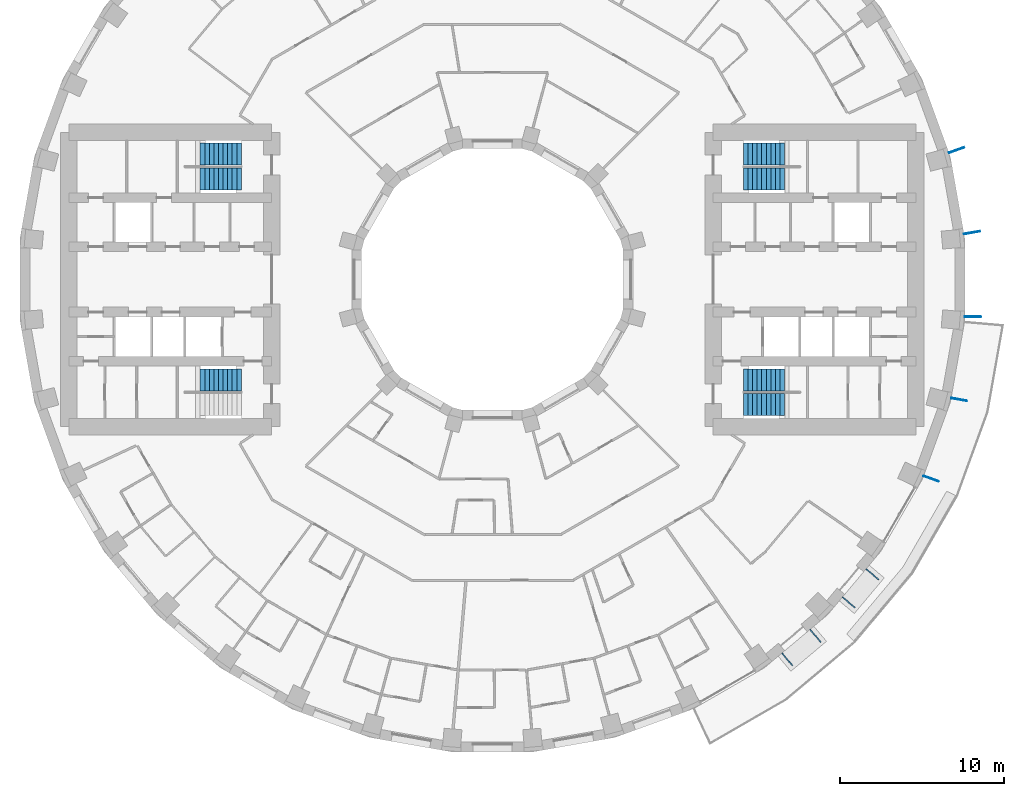
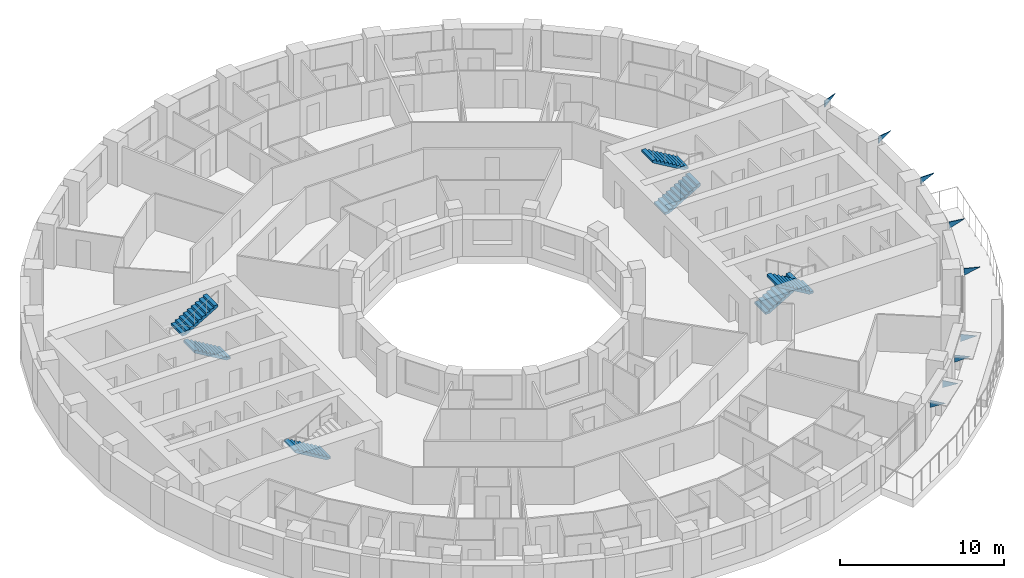
# One storey, part 14 of 15: 9 discrete accessories, 7 stair flights, 4 elements without a shape of their own.
"""IFC4 building model written with IfcOpenShell, lengths in metres."""

from ifc_helpers import new_model, si_unit, direction, frame, origin, place, context, subcontext, project, spatial, polyline, outline, extrude, material, layer, layer_set, type_object, element, aggregate, save


model = new_model("IFC4")

# Units and contexts
model_context = context("Model", 3, precision=1e-05, world=origin(), true_north=direction((0.0, 1.0)))
body_context = subcontext(model_context, "Body", "Model", "MODEL_VIEW")
ifc_project = project(units=[si_unit("LENGTHUNIT", "METRE"), si_unit("AREAUNIT", "SQUARE_METRE"), si_unit("VOLUMEUNIT", "CUBIC_METRE"), si_unit("PLANEANGLEUNIT", "RADIAN"), si_unit("MASSUNIT", "GRAM", prefix="KILO")], contexts=[model_context])

# Site, building, storey
site_placement = place(None, origin())
site = spatial("IfcSite", under=ifc_project, at=site_placement, CompositionType="ELEMENT")
building_placement = place(site_placement, origin())
building = spatial("IfcBuilding", under=site, at=building_placement, Name="Saqina Gate Tower", CompositionType="ELEMENT")
storey_placement = place(building_placement, frame((0.0, 0.0, 42.800048828125)))
storey = spatial("IfcBuildingStorey", under=building, at=storey_placement, Name="L11", CompositionType="ELEMENT", Elevation=42.800048828125)

# Stair, stair flights
ifc_material_1 = material(Name="Concrete C40/50", Category="concrete")
stair_type = type_object("IfcStairType", Name="EXIT STAIR", PredefinedType="HALF_TURN_STAIR", material=ifc_material_1)
stair_1_placement = place(storey_placement, origin())
stair_1 = element("IfcStair", 1, at=stair_1_placement, inside=storey, type_object=stair_type, Name="EXIT STAIR 1", PredefinedType="HALF_TURN_STAIR")
ifc_material_2 = material(Name="Concrete C40/50", Category="concrete")
stair_flight_type = type_object("IfcStairFlightType", Name="EXIT STAIR FLIGHT", PredefinedType="STRAIGHT", material=ifc_material_2)
stair_flight_1_placement = place(storey_placement, frame((15.35009765625, 6.1416015625, 0.0), z_axis=(0.0, 0.0, 1.0), x_axis=(1.0, 0.0, 0.0)))
stair_flight_1 = element("IfcStairFlight", 2, at=stair_flight_1_placement, type_object=stair_flight_type, Name="EXIT STAIR 1 FLIGHT 1", NumberOfRisers=10, NumberOfTreads=9, PredefinedType="STRAIGHT", RiserHeight=0.165, TreadLength=0.28, context=body_context, shape_type="SweptSolid", body=[
    extrude(outline(polyline([(0.0, 0.0), (0.0, 0.1650390625), (0.280029296875, 0.1650390625), (0.280029296875, 0.330078125), (0.56005859375, 0.330078125), (0.56005859375, 0.4951171875), (0.840087890625, 0.4951171875), (0.840087890625, 0.659912109375), (1.1201171875, 0.659912109375), (1.1201171875, 0.824951171875), (1.39990234375, 0.824951171875), (1.39990234375, 0.989990234375), (1.679931640625, 0.989990234375), (1.679931640625, 1.155029296875), (1.9599609375, 1.155029296875), (1.9599609375, 1.320068359375), (2.239990234375, 1.320068359375), (2.239990234375, 1.485107421875), (2.52001953125, 1.485107421875), (2.52001953125, 1.64990234375), (2.52001953125, 1.31103515625), (0.295166015625, 0.0), (0.0, 0.0)])), frame((0.0, 0.675048828125, 0.0), z_axis=(0.0, -1.0, 0.0), x_axis=(1.0, 0.0, 0.0)), (0.0, 0.0, 1.0), 1.35009765625),
])
stair_flight_2_placement = place(storey_placement, frame((17.8701171875, 7.658447265625, 1.64990234375), z_axis=(0.0, 0.0, 1.0), x_axis=(-1.0, 0.0, 0.0)))
stair_flight_2 = element("IfcStairFlight", 3, at=stair_flight_2_placement, type_object=stair_flight_type, Name="EXIT STAIR 1 FLIGHT 2", NumberOfRisers=10, NumberOfTreads=9, PredefinedType="STRAIGHT", RiserHeight=0.165, TreadLength=0.28, context=body_context, shape_type="SweptSolid", body=[
    extrude(outline(polyline([(0.0, 0.0), (0.0, 0.1650390625), (0.280029296875, 0.1650390625), (0.280029296875, 0.330078125), (0.56005859375, 0.330078125), (0.56005859375, 0.4951171875), (0.840087890625, 0.4951171875), (0.840087890625, 0.659912109375), (1.1201171875, 0.659912109375), (1.1201171875, 0.824951171875), (1.39990234375, 0.824951171875), (1.39990234375, 0.989990234375), (1.679931640625, 0.989990234375), (1.679931640625, 1.155029296875), (1.9599609375, 1.155029296875), (1.9599609375, 1.320068359375), (2.239990234375, 1.320068359375), (2.239990234375, 1.485107421875), (2.52001953125, 1.485107421875), (2.52001953125, 1.64990234375), (2.52001953125, 1.31103515625), (0.295166015625, 0.0), (0.0, 0.0)])), frame((0.0, 0.675048828125, 0.0), z_axis=(0.0, -1.0, 0.0), x_axis=(1.0, 0.0, 0.0)), (0.0, 0.0, 1.0), 1.35009765625),
])
aggregate(stair_1, [stair_flight_1, stair_flight_2])

stair_2_placement = place(storey_placement, origin())
stair_2 = element("IfcStair", 4, at=stair_2_placement, inside=storey, type_object=stair_type, Name="EXIT STAIR 2", PredefinedType="HALF_TURN_STAIR")
stair_flight_3_placement = place(storey_placement, frame((15.35009765625, -6.1416015625, 0.0), z_axis=(0.0, 0.0, 1.0), x_axis=(1.0, 0.0, 0.0)))
stair_flight_3 = element("IfcStairFlight", 5, at=stair_flight_3_placement, type_object=stair_flight_type, Name="EXIT STAIR 2 FLIGHT 1", NumberOfRisers=10, NumberOfTreads=9, PredefinedType="STRAIGHT", RiserHeight=0.165, TreadLength=0.28, context=body_context, shape_type="SweptSolid", body=[
    extrude(outline(polyline([(0.0, 0.0), (0.0, 0.1650390625), (0.280029296875, 0.1650390625), (0.280029296875, 0.330078125), (0.56005859375, 0.330078125), (0.56005859375, 0.4951171875), (0.840087890625, 0.4951171875), (0.840087890625, 0.659912109375), (1.1201171875, 0.659912109375), (1.1201171875, 0.824951171875), (1.39990234375, 0.824951171875), (1.39990234375, 0.989990234375), (1.679931640625, 0.989990234375), (1.679931640625, 1.155029296875), (1.9599609375, 1.155029296875), (1.9599609375, 1.320068359375), (2.239990234375, 1.320068359375), (2.239990234375, 1.485107421875), (2.52001953125, 1.485107421875), (2.52001953125, 1.64990234375), (2.52001953125, 1.31103515625), (0.295166015625, 0.0), (0.0, 0.0)])), frame((0.0, 0.675048828125, 0.0), z_axis=(0.0, -1.0, 0.0), x_axis=(1.0, 0.0, 0.0)), (0.0, 0.0, 1.0), 1.35009765625),
])
stair_flight_4_placement = place(storey_placement, frame((17.8701171875, -7.658447265625, 1.64990234375), z_axis=(0.0, 0.0, 1.0), x_axis=(-1.0, 0.0, 0.0)))
stair_flight_4 = element("IfcStairFlight", 6, at=stair_flight_4_placement, type_object=stair_flight_type, Name="EXIT STAIR 2 FLIGHT 2", NumberOfRisers=10, NumberOfTreads=9, PredefinedType="STRAIGHT", RiserHeight=0.165, TreadLength=0.28, context=body_context, shape_type="SweptSolid", body=[
    extrude(outline(polyline([(0.0, 0.0), (0.0, 0.1650390625), (0.280029296875, 0.1650390625), (0.280029296875, 0.330078125), (0.56005859375, 0.330078125), (0.56005859375, 0.4951171875), (0.840087890625, 0.4951171875), (0.840087890625, 0.659912109375), (1.1201171875, 0.659912109375), (1.1201171875, 0.824951171875), (1.39990234375, 0.824951171875), (1.39990234375, 0.989990234375), (1.679931640625, 0.989990234375), (1.679931640625, 1.155029296875), (1.9599609375, 1.155029296875), (1.9599609375, 1.320068359375), (2.239990234375, 1.320068359375), (2.239990234375, 1.485107421875), (2.52001953125, 1.485107421875), (2.52001953125, 1.64990234375), (2.52001953125, 1.31103515625), (0.295166015625, 0.0), (0.0, 0.0)])), frame((0.0, 0.675048828125, 0.0), z_axis=(0.0, -1.0, 0.0), x_axis=(1.0, 0.0, 0.0)), (0.0, 0.0, 1.0), 1.35009765625),
])
aggregate(stair_2, [stair_flight_3, stair_flight_4])

stair_3_placement = place(storey_placement, origin())
stair_3 = element("IfcStair", 7, at=stair_3_placement, inside=storey, type_object=stair_type, Name="EXIT STAIR 3", PredefinedType="HALF_TURN_STAIR")
stair_flight_5_placement = place(storey_placement, frame((-15.35009765625, 6.1416015625, 0.0), z_axis=(0.0, 0.0, 1.0), x_axis=(-1.0, 0.0, 0.0)))
stair_flight_5 = element("IfcStairFlight", 8, at=stair_flight_5_placement, type_object=stair_flight_type, Name="EXIT STAIR 3 FLIGHT 1", NumberOfRisers=10, NumberOfTreads=9, PredefinedType="STRAIGHT", RiserHeight=0.165, TreadLength=0.28, context=body_context, shape_type="SweptSolid", body=[
    extrude(outline(polyline([(0.0, 0.0), (0.0, 0.1650390625), (0.280029296875, 0.1650390625), (0.280029296875, 0.330078125), (0.56005859375, 0.330078125), (0.56005859375, 0.4951171875), (0.840087890625, 0.4951171875), (0.840087890625, 0.659912109375), (1.1201171875, 0.659912109375), (1.1201171875, 0.824951171875), (1.39990234375, 0.824951171875), (1.39990234375, 0.989990234375), (1.679931640625, 0.989990234375), (1.679931640625, 1.155029296875), (1.9599609375, 1.155029296875), (1.9599609375, 1.320068359375), (2.239990234375, 1.320068359375), (2.239990234375, 1.485107421875), (2.52001953125, 1.485107421875), (2.52001953125, 1.64990234375), (2.52001953125, 1.31103515625), (0.295166015625, 0.0), (0.0, 0.0)])), frame((0.0, 0.675048828125, 0.0), z_axis=(0.0, -1.0, 0.0), x_axis=(1.0, 0.0, 0.0)), (0.0, 0.0, 1.0), 1.35009765625),
])
stair_flight_6_placement = place(storey_placement, frame((-17.8701171875, 7.658447265625, 1.64990234375), z_axis=(0.0, 0.0, 1.0), x_axis=(1.0, 0.0, 0.0)))
stair_flight_6 = element("IfcStairFlight", 9, at=stair_flight_6_placement, type_object=stair_flight_type, Name="EXIT STAIR 3 FLIGHT 2", NumberOfRisers=10, NumberOfTreads=9, PredefinedType="STRAIGHT", RiserHeight=0.165, TreadLength=0.28, context=body_context, shape_type="SweptSolid", body=[
    extrude(outline(polyline([(0.0, 0.0), (0.0, 0.1650390625), (0.280029296875, 0.1650390625), (0.280029296875, 0.330078125), (0.56005859375, 0.330078125), (0.56005859375, 0.4951171875), (0.840087890625, 0.4951171875), (0.840087890625, 0.659912109375), (1.1201171875, 0.659912109375), (1.1201171875, 0.824951171875), (1.39990234375, 0.824951171875), (1.39990234375, 0.989990234375), (1.679931640625, 0.989990234375), (1.679931640625, 1.155029296875), (1.9599609375, 1.155029296875), (1.9599609375, 1.320068359375), (2.239990234375, 1.320068359375), (2.239990234375, 1.485107421875), (2.52001953125, 1.485107421875), (2.52001953125, 1.64990234375), (2.52001953125, 1.31103515625), (0.295166015625, 0.0), (0.0, 0.0)])), frame((0.0, 0.675048828125, 0.0), z_axis=(0.0, -1.0, 0.0), x_axis=(1.0, 0.0, 0.0)), (0.0, 0.0, 1.0), 1.35009765625),
])
aggregate(stair_3, [stair_flight_5, stair_flight_6])

# Stair, stair flight
stair_4_placement = place(storey_placement, origin())
stair_4 = element("IfcStair", 10, at=stair_4_placement, inside=storey, type_object=stair_type, Name="EXIT STAIR 4", PredefinedType="HALF_TURN_STAIR")
stair_flight_7_placement = place(storey_placement, frame((-15.35009765625, -6.1416015625, 0.0), z_axis=(0.0, 0.0, 1.0), x_axis=(-1.0, 0.0, 0.0)))
stair_flight_7 = element("IfcStairFlight", 11, at=stair_flight_7_placement, type_object=stair_flight_type, Name="EXIT STAIR 4 FLIGHT 1", NumberOfRisers=10, NumberOfTreads=9, PredefinedType="STRAIGHT", RiserHeight=0.165, TreadLength=0.28, context=body_context, shape_type="SweptSolid", body=[
    extrude(outline(polyline([(0.0, 0.0), (0.0, 0.1650390625), (0.280029296875, 0.1650390625), (0.280029296875, 0.330078125), (0.56005859375, 0.330078125), (0.56005859375, 0.4951171875), (0.840087890625, 0.4951171875), (0.840087890625, 0.659912109375), (1.1201171875, 0.659912109375), (1.1201171875, 0.824951171875), (1.39990234375, 0.824951171875), (1.39990234375, 0.989990234375), (1.679931640625, 0.989990234375), (1.679931640625, 1.155029296875), (1.9599609375, 1.155029296875), (1.9599609375, 1.320068359375), (2.239990234375, 1.320068359375), (2.239990234375, 1.485107421875), (2.52001953125, 1.485107421875), (2.52001953125, 1.64990234375), (2.52001953125, 1.31103515625), (0.295166015625, 0.0), (0.0, 0.0)])), frame((0.0, 0.675048828125, 0.0), z_axis=(0.0, -1.0, 0.0), x_axis=(1.0, 0.0, 0.0)), (0.0, 0.0, 1.0), 1.35009765625),
])
aggregate(stair_4, [stair_flight_7])

# Discrete accessories
ifc_material_3 = material(Name="Galvanised steel", Category="steel")
ifc_layer_1 = layer(ifc_material_3, 0.050048828125)
ifc_layer_set_1 = layer_set([ifc_layer_1], Name="BR-AWNING")
discrete_accessory_type_1 = type_object("IfcDiscreteAccessoryType", Name="BR-AWNING", PredefinedType="BRACKET", material=ifc_layer_set_1)
for number, where, z_axis, x_axis, name in (
    (12, (17.728759765625, -22.83642578125, 1.974853515625), (0.766055819685, 0.64277405138, 0.0), (0.0, 0.0, 1.0), "Awning bracket L11 facet 31"),
    (13, (19.44921875, -21.392822265625, 1.974853515625), (0.766055819685, 0.64277405138, 0.0), (0.0, 0.0, 1.0), "Awning bracket L11 facet 31"),
    (14, (21.425048828125, -19.410888671875, 1.974853515625), (0.64277405138, 0.766055819685, 0.0), (0.0, 0.0, 1.0), "Awning bracket L11 facet 32"),
    (15, (22.86865234375, -17.6904296875, 1.974853515625), (0.64277405138, 0.766055819685, 0.0), (0.0, 0.0, 1.0), "Awning bracket L11 facet 32"),
):
    element("IfcDiscreteAccessory", number, at=place(storey_placement, frame(where, z_axis=z_axis, x_axis=x_axis)), inside=storey, type_object=discrete_accessory_type_1, Name=name, PredefinedType="BRACKET", context=body_context, shape_type="SweptSolid", body=[
        extrude(outline(polyline([(0.0, 0.0), (0.550048828125, 0.0), (0.550048828125, 1.0000750096322273), (0.0, 0.0)])), origin(), (0.0, 0.0, -1.0), 0.050048828125),
    ])
ifc_material_4 = material(Name="Galvanised steel", Category="steel")
ifc_layer_2 = layer(ifc_material_4, 0.050048828125)
ifc_layer_set_2 = layer_set([ifc_layer_2], Name="BR-GUSSET")
discrete_accessory_type_2 = type_object("IfcDiscreteAccessoryType", Name="BR-GUSSET", PredefinedType="BRACKET", material=ifc_layer_set_2)
discrete_accessory_1_placement = place(storey_placement, frame((26.376953125, -11.99755859375, 2.25), z_axis=(0.342037080957, 0.939686455819, 0.0), x_axis=(0.0, 0.0, 1.0)))
element("IfcDiscreteAccessory", 16, at=discrete_accessory_1_placement, inside=storey, type_object=discrete_accessory_type_2, Name="Terrace slab bracket L12 1", PredefinedType="BRACKET", context=body_context, shape_type="SweptSolid", body=[
    extrude(outline(polyline([(0.0, 0.0), (0.5, 0.0), (0.5, 1.000011503630275), (0.0, 0.0)])), origin(), (0.0, 0.0, -1.0), 0.050048828125),
])
discrete_accessory_2_placement = place(storey_placement, frame((28.0595703125, -7.23486328125, 2.25), z_axis=(0.173813186416, 0.984778643263, 0.0), x_axis=(0.0, 0.0, 1.0)))
element("IfcDiscreteAccessory", 17, at=discrete_accessory_2_placement, inside=storey, type_object=discrete_accessory_type_2, Name="Terrace slab bracket L12 2", PredefinedType="BRACKET", context=body_context, shape_type="SweptSolid", body=[
    extrude(outline(polyline([(0.0, 0.0), (0.5, 0.0), (0.5, 1.000085946204391), (0.0, 0.0)])), origin(), (0.0, 0.0, -1.0), 0.050048828125),
])
discrete_accessory_3_placement = place(storey_placement, frame((28.8896484375, -2.25244140625, 2.25), z_axis=(0.0, 1.0, 0.0), x_axis=(0.0, 0.0, 1.0)))
element("IfcDiscreteAccessory", 18, at=discrete_accessory_3_placement, inside=storey, type_object=discrete_accessory_type_2, Name="Terrace slab bracket L12 3", PredefinedType="BRACKET", context=body_context, shape_type="SweptSolid", body=[
    extrude(outline(polyline([(0.0, 0.0), (0.5, 0.0), (0.5, 1.0), (0.0, 0.0)])), origin(), (0.0, 0.0, -1.0), 0.050048828125),
])
discrete_accessory_4_placement = place(storey_placement, frame((28.841796875, 2.79833984375, 2.25), z_axis=(-0.173576426815, 0.984820401928, 0.0), x_axis=(0.0, 0.0, 1.0)))
element("IfcDiscreteAccessory", 19, at=discrete_accessory_4_placement, inside=storey, type_object=discrete_accessory_type_2, Name="Terrace slab bracket L12 4", PredefinedType="BRACKET", context=body_context, shape_type="SweptSolid", body=[
    extrude(outline(polyline([(0.0, 0.0), (0.5, 0.0), (0.5, 1.000043540245132), (0.0, 0.0)])), origin(), (0.0, 0.0, -1.0), 0.050048828125),
])
discrete_accessory_5_placement = place(storey_placement, frame((27.917724609375, 7.76416015625, 2.25), z_axis=(-0.342037080957, 0.939686455819, 0.0), x_axis=(0.0, 0.0, 1.0)))
element("IfcDiscreteAccessory", 20, at=discrete_accessory_5_placement, inside=storey, type_object=discrete_accessory_type_2, Name="Terrace slab bracket L12 5", PredefinedType="BRACKET", context=body_context, shape_type="SweptSolid", body=[
    extrude(outline(polyline([(0.0, 0.0), (0.5, 0.0), (0.5, 1.000011503630275), (0.0, 0.0)])), origin(), (0.0, 0.0, -1.0), 0.050048828125),
])

save(model, "model.ifc")
